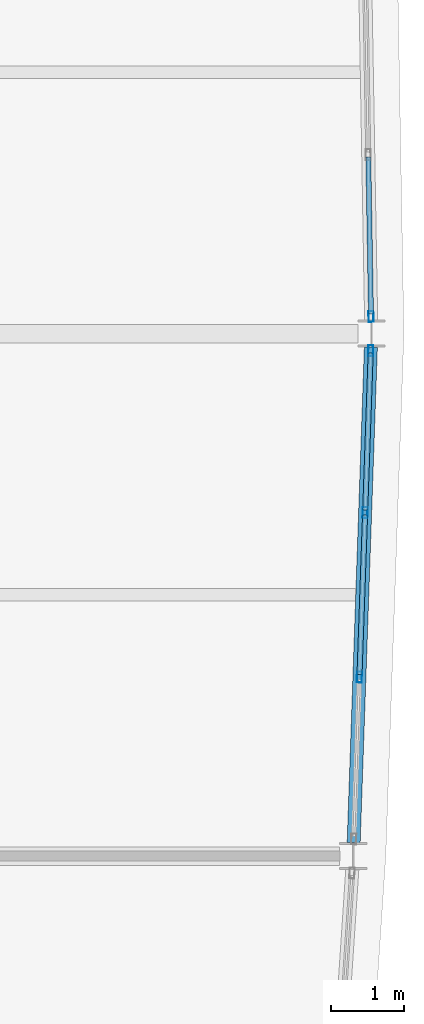
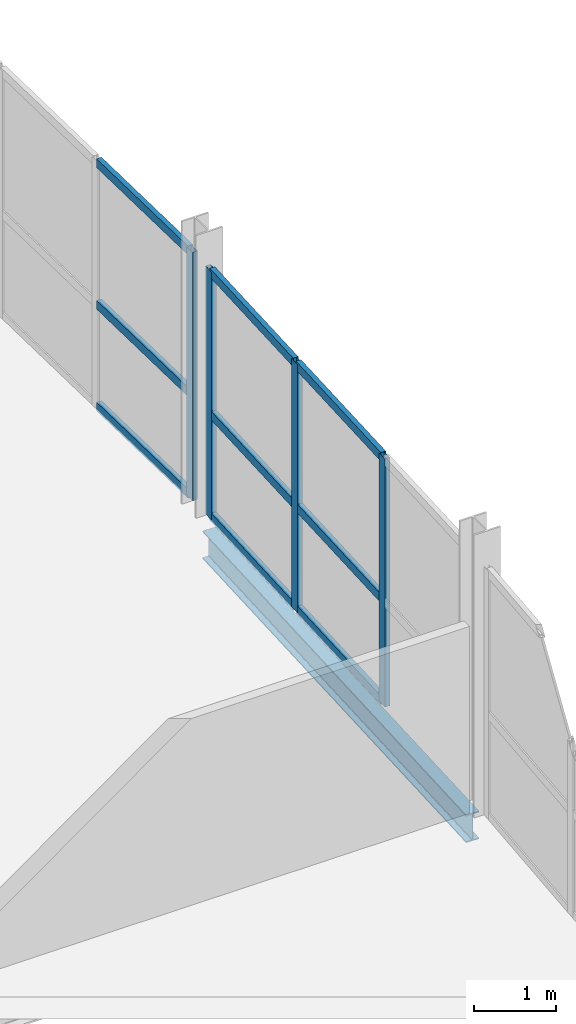
# One storey, part 5 of 20: 13 members, 1 beam, 2 elements without a shape of their own.
"""IFC4 building model written with IfcOpenShell, lengths in metres."""

from ifc_helpers import new_model, si_unit, direction, frame, origin, origin_2d, place, context, subcontext, project, spatial, hollow_rectangle, i_section, extrude, material, layer, layer_set, material_profile, profile_set, type_object, element, aggregate, save


model = new_model("IFC4")

# Units and contexts
model_context = context("Model", 3, precision=1e-05, world=origin(), true_north=direction((0.0, 1.0)))
body_context = subcontext(model_context, "Body", "Model", "MODEL_VIEW")
ifc_project = project(units=[si_unit("LENGTHUNIT", "METRE"), si_unit("AREAUNIT", "SQUARE_METRE"), si_unit("VOLUMEUNIT", "CUBIC_METRE"), si_unit("PLANEANGLEUNIT", "RADIAN"), si_unit("MASSUNIT", "GRAM", prefix="KILO")], contexts=[model_context])

# Site, building, storey
site_placement = place(None, origin())
site = spatial("IfcSite", under=ifc_project, at=site_placement, CompositionType="ELEMENT")
building_placement = place(site_placement, origin())
building = spatial("IfcBuilding", under=site, at=building_placement, Name="Quillay Park Conservatory", CompositionType="ELEMENT")
storey_placement = place(building_placement, frame((0.0, 0.0, 30.89990234375)))
storey = spatial("IfcBuildingStorey", under=building, at=storey_placement, Name="L07", CompositionType="ELEMENT", Elevation=30.89990234375)

# Curtain wall, members
ifc_material_1 = material(Name="Thermally Broken Anodised Aluminium 6063-T6", Category="aluminium")
ifc_layer = layer(ifc_material_1, 0.199951171875)
ifc_layer_set = layer_set([ifc_layer], Name="UNITISED CURTAIN WALL HERBARIUM (Thermally Broken Anodised Aluminium 6063-T6)")
curtain_wall_type = type_object("IfcCurtainWallType", Name="UNITISED CURTAIN WALL HERBARIUM", PredefinedType="USERDEFINED", material=ifc_layer_set)
curtain_wall_1_placement = place(storey_placement, origin())
curtain_wall_1 = element("IfcCurtainWall", 1, at=curtain_wall_1_placement, inside=storey, type_object=curtain_wall_type, Name="L07 Unitised Curtain Wall 070", ObjectType="UNITISED CURTAIN WALL", PredefinedType="USERDEFINED")
ifc_material_2 = material(Name="Thermally Broken Anodised Aluminium 6063-T6", Category="aluminium")
ifc_material_profile_1 = material_profile(ifc_material_2, hollow_rectangle(XDim=0.070068359375, YDim=0.14990234375, WallThickness=0.00341796875, at=origin_2d()), Name="AL70x150x3.5")
ifc_profile_set_1 = profile_set([ifc_material_profile_1], Name="Thermally Broken Anodised Aluminium 6063-T6")
member_type_1 = type_object("IfcMemberType", Name="CURTAIN WALL MULLION 70 X150", PredefinedType="MULLION", material=ifc_profile_set_1)
member_1_placement = place(storey_placement, frame((28.1669921875, 84.965087890625, 0.0), z_axis=(0.0, 0.0, 1.0), x_axis=(0.999397310446, -0.034713338537, 0.0)))
member_1 = element("IfcMember", 2, at=member_1_placement, type_object=member_type_1, Name="CW-T2 mullion 1", PredefinedType="MULLION", context=body_context, shape_type="SweptSolid", body=[
    extrude(hollow_rectangle(XDim=0.070068359375, YDim=0.14990234375, WallThickness=0.00341796875, at=origin_2d()), origin(), (0.0, 0.0, 1.0), 3.68701171875),
])
member_2_placement = place(storey_placement, frame((28.08935546875, 82.7333984375, 0.0), z_axis=(0.0, 0.0, 1.0), x_axis=(0.999397310446, -0.034713338537, 0.0)))
member_2 = element("IfcMember", 3, at=member_2_placement, type_object=member_type_1, Name="CW-T2 mullion 2", PredefinedType="MULLION", context=body_context, shape_type="SweptSolid", body=[
    extrude(hollow_rectangle(XDim=0.070068359375, YDim=0.14990234375, WallThickness=0.00341796875, at=origin_2d()), origin(), (0.0, 0.0, 1.0), 3.68701171875),
])
member_3_placement = place(storey_placement, frame((28.0107421875, 80.466552734375, 0.0), z_axis=(0.0, 0.0, 1.0), x_axis=(0.999397310446, -0.034713338537, 0.0)))
member_3 = element("IfcMember", 4, at=member_3_placement, type_object=member_type_1, Name="CW-T2 mullion 3", PredefinedType="MULLION", context=body_context, shape_type="SweptSolid", body=[
    extrude(hollow_rectangle(XDim=0.070068359375, YDim=0.14990234375, WallThickness=0.00341796875, at=origin_2d()), origin(), (0.0, 0.0, 1.0), 3.68701171875),
])

# Curtain wall, member
curtain_wall_2_placement = place(storey_placement, origin())
curtain_wall_2 = element("IfcCurtainWall", 5, at=curtain_wall_2_placement, inside=storey, type_object=curtain_wall_type, Name="L07 Unitised Curtain Wall 071", ObjectType="UNITISED CURTAIN WALL", PredefinedType="USERDEFINED")
member_4_placement = place(storey_placement, frame((28.1708984375, 85.43505859375, 0.0), z_axis=(0.0, 0.0, 1.0), x_axis=(0.999849471711, 0.017350329071, 0.0)))
member_4 = element("IfcMember", 6, at=member_4_placement, type_object=member_type_1, Name="CW-T2 mullion 4", PredefinedType="MULLION", context=body_context, shape_type="SweptSolid", body=[
    extrude(hollow_rectangle(XDim=0.070068359375, YDim=0.14990234375, WallThickness=0.00341796875, at=origin_2d()), origin(), (0.0, 0.0, 1.0), 3.68701171875),
])

# Member
ifc_material_3 = material(Name="Thermally Broken Anodised Aluminium 6063-T6", Category="aluminium")
ifc_material_profile_2 = material_profile(ifc_material_3, hollow_rectangle(XDim=0.070068359375, YDim=0.1298828125, WallThickness=0.003173828125, at=origin_2d()), Name="AL70x130x3.2")
ifc_profile_set_2 = profile_set([ifc_material_profile_2], Name="Thermally Broken Anodised Aluminium 6063-T6")
member_type_2 = type_object("IfcMemberType", Name="CURTAIN WALL TRANSOM 70 X130", PredefinedType="USERDEFINED", material=ifc_profile_set_2)
member_5_placement = place(storey_placement, frame((28.165771484375, 84.93017578125, 0.03515625), z_axis=(-0.034761587249, -0.999395633396, 0.0), x_axis=(0.999395633396, -0.034761587249, 0.0)))
member_5 = element("IfcMember", 7, at=member_5_placement, type_object=member_type_2, Name="CW-T2 transom 1.1", ObjectType="TRANSOM", PredefinedType="USERDEFINED", context=body_context, shape_type="SweptSolid", body=[
    extrude(hollow_rectangle(XDim=0.070068359375, YDim=0.1298828125, WallThickness=0.003173828125, at=origin_2d()), origin(), (0.0, 0.0, 1.0), 2.1630859375),
])

member_6_placement = place(storey_placement, frame((28.165771484375, 84.93017578125, 1.548583984375), z_axis=(-0.034761587249, -0.999395633396, 0.0), x_axis=(0.999395633396, -0.034761587249, 0.0)))
member_6 = element("IfcMember", 8, at=member_6_placement, type_object=member_type_2, Name="CW-T2 transom 1.2", ObjectType="TRANSOM", PredefinedType="USERDEFINED", context=body_context, shape_type="SweptSolid", body=[
    extrude(hollow_rectangle(XDim=0.070068359375, YDim=0.1298828125, WallThickness=0.003173828125, at=origin_2d()), origin(), (0.0, 0.0, 1.0), 2.1630859375),
])

member_7_placement = place(storey_placement, frame((28.165771484375, 84.93017578125, 3.652099609375), z_axis=(-0.034761587249, -0.999395633396, 0.0), x_axis=(0.999395633396, -0.034761587249, 0.0)))
member_7 = element("IfcMember", 9, at=member_7_placement, type_object=member_type_2, Name="CW-T2 transom 1.3", ObjectType="TRANSOM", PredefinedType="USERDEFINED", context=body_context, shape_type="SweptSolid", body=[
    extrude(hollow_rectangle(XDim=0.070068359375, YDim=0.1298828125, WallThickness=0.003173828125, at=origin_2d()), origin(), (0.0, 0.0, 1.0), 2.1630859375),
])

member_8_placement = place(storey_placement, frame((28.088134765625, 82.698486328125, 0.03515625), z_axis=(-0.034653546152, -0.999399385501, 0.0), x_axis=(0.999399385501, -0.034653546152, 0.0)))
member_8 = element("IfcMember", 10, at=member_8_placement, type_object=member_type_2, Name="CW-T2 transom 2.1", ObjectType="TRANSOM", PredefinedType="USERDEFINED", context=body_context, shape_type="SweptSolid", body=[
    extrude(hollow_rectangle(XDim=0.070068359375, YDim=0.1298828125, WallThickness=0.003173828125, at=origin_2d()), origin(), (0.0, 0.0, 1.0), 2.197998046875),
])

member_9_placement = place(storey_placement, frame((28.088134765625, 82.698486328125, 1.548583984375), z_axis=(-0.034653546152, -0.999399385501, 0.0), x_axis=(0.999399385501, -0.034653546152, 0.0)))
member_9 = element("IfcMember", 11, at=member_9_placement, type_object=member_type_2, Name="CW-T2 transom 2.2", ObjectType="TRANSOM", PredefinedType="USERDEFINED", context=body_context, shape_type="SweptSolid", body=[
    extrude(hollow_rectangle(XDim=0.070068359375, YDim=0.1298828125, WallThickness=0.003173828125, at=origin_2d()), origin(), (0.0, 0.0, 1.0), 2.197998046875),
])

member_10_placement = place(storey_placement, frame((28.088134765625, 82.698486328125, 3.652099609375), z_axis=(-0.034653546152, -0.999399385501, 0.0), x_axis=(0.999399385501, -0.034653546152, 0.0)))
member_10 = element("IfcMember", 12, at=member_10_placement, type_object=member_type_2, Name="CW-T2 transom 2.3", ObjectType="TRANSOM", PredefinedType="USERDEFINED", context=body_context, shape_type="SweptSolid", body=[
    extrude(hollow_rectangle(XDim=0.070068359375, YDim=0.1298828125, WallThickness=0.003173828125, at=origin_2d()), origin(), (0.0, 0.0, 1.0), 2.197998046875),
])

aggregate(curtain_wall_1, [member_1, member_2, member_3, member_5, member_6, member_7, member_8, member_9, member_10])

member_11_placement = place(storey_placement, frame((28.1328125, 87.631591796875, 0.03515625), z_axis=(0.017277745819, -0.999850728609, 0.0), x_axis=(0.999850728609, 0.017277745819, 0.0)))
member_11 = element("IfcMember", 13, at=member_11_placement, type_object=member_type_2, Name="CW-T2 transom 3.1", ObjectType="TRANSOM", PredefinedType="USERDEFINED", context=body_context, shape_type="SweptSolid", body=[
    extrude(hollow_rectangle(XDim=0.070068359375, YDim=0.1298828125, WallThickness=0.003173828125, at=origin_2d()), origin(), (0.0, 0.0, 1.0), 2.161865234375),
])

member_12_placement = place(storey_placement, frame((28.1328125, 87.631591796875, 1.548583984375), z_axis=(0.017277745819, -0.999850728609, 0.0), x_axis=(0.999850728609, 0.017277745819, 0.0)))
member_12 = element("IfcMember", 14, at=member_12_placement, type_object=member_type_2, Name="CW-T2 transom 3.2", ObjectType="TRANSOM", PredefinedType="USERDEFINED", context=body_context, shape_type="SweptSolid", body=[
    extrude(hollow_rectangle(XDim=0.070068359375, YDim=0.1298828125, WallThickness=0.003173828125, at=origin_2d()), origin(), (0.0, 0.0, 1.0), 2.161865234375),
])

member_13_placement = place(storey_placement, frame((28.1328125, 87.631591796875, 3.652099609375), z_axis=(0.017277745819, -0.999850728609, 0.0), x_axis=(0.999850728609, 0.017277745819, 0.0)))
member_13 = element("IfcMember", 15, at=member_13_placement, type_object=member_type_2, Name="CW-T2 transom 3.3", ObjectType="TRANSOM", PredefinedType="USERDEFINED", context=body_context, shape_type="SweptSolid", body=[
    extrude(hollow_rectangle(XDim=0.070068359375, YDim=0.1298828125, WallThickness=0.003173828125, at=origin_2d()), origin(), (0.0, 0.0, 1.0), 2.161865234375),
])

aggregate(curtain_wall_2, [member_4, member_11, member_12, member_13])

# Beam
ifc_material_4 = material(Name="Steel ASTM A992 Grade 50", Category="steel")
ifc_material_profile_3 = material_profile(ifc_material_4, i_section(OverallWidth=0.179931640625, OverallDepth=0.4130859375, WebThickness=0.009765625, FlangeThickness=0.01611328125, FilletRadius=0.011962890625, at=origin_2d()), Name="W410x74")
ifc_profile_set_3 = profile_set([ifc_material_profile_3], Name="Steel ASTM A992 Grade 50")
beam_type = type_object("IfcBeamType", Name="PERIMETER SPANDREL BEAM W410 X74", PredefinedType="SPANDREL", material=ifc_profile_set_3)
beam_placement = place(storey_placement, frame((27.931396484375, 78.185791015625, -0.426513671875), z_axis=(0.034696105314, 0.999397908881, 0.0), x_axis=(-0.999397908881, 0.034696105314, 0.0)))
element("IfcBeam", 16, at=beam_placement, inside=storey, type_object=beam_type, Name="L07 beam BM-SPE-0553", PredefinedType="SPANDREL", context=body_context, shape_type="SweptSolid", body=[
    extrude(i_section(OverallWidth=0.179931640625, OverallDepth=0.4130859375, WebThickness=0.009765625, FlangeThickness=0.01611328125, FilletRadius=0.011962890625, at=origin_2d()), origin(), (0.0, 0.0, 1.0), 6.83251953125),
])

save(model, "model.ifc")
